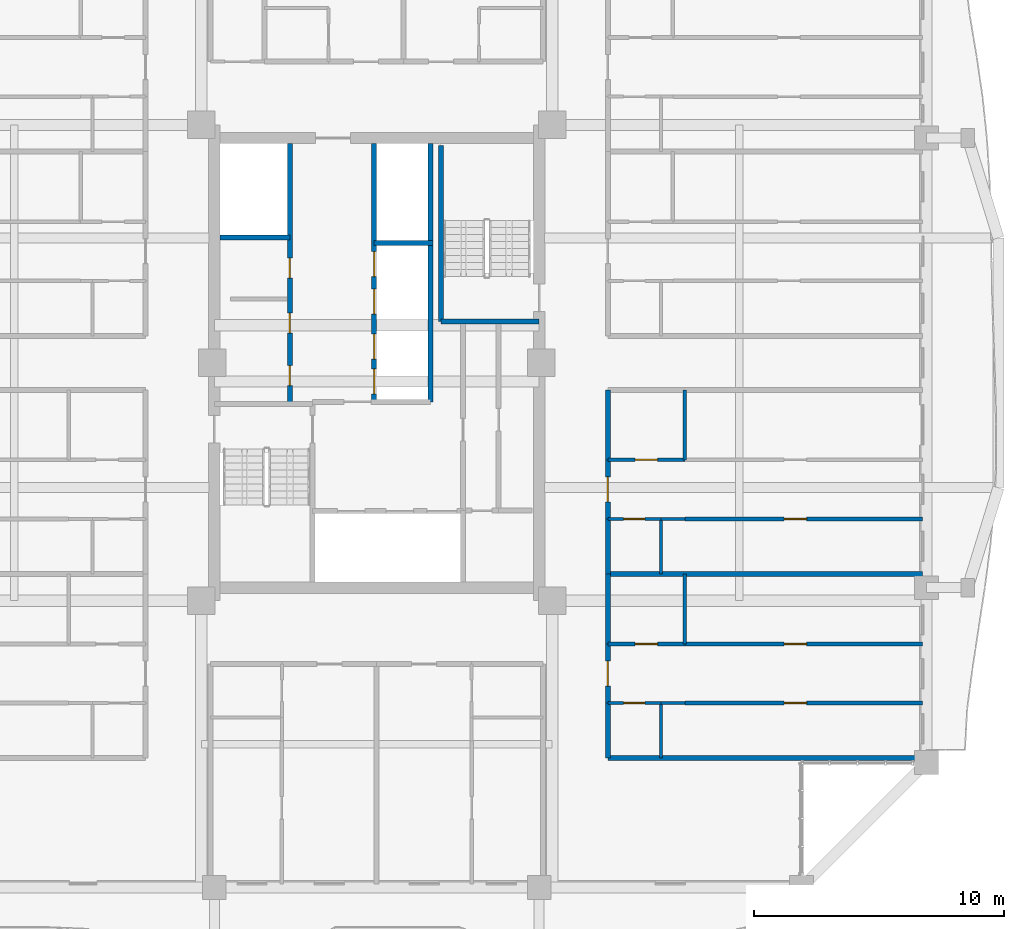
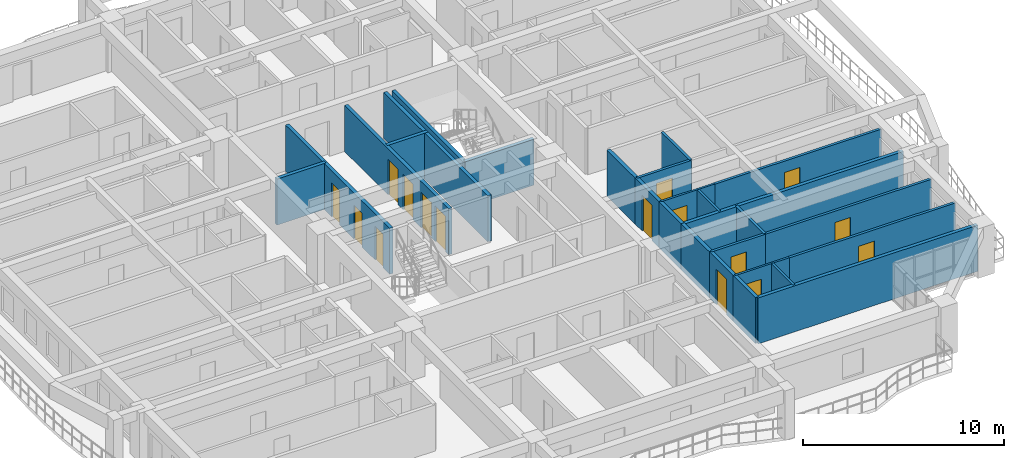
# One storey, part 14 of 23: 29 walls, 16 doors, 16 openings.
"""IFC4 building model written with IfcOpenShell, lengths in metres."""

from ifc_helpers import new_model, si_unit, direction, frame, frame_2d, origin, place, context, subcontext, project, spatial, rectangle, extrude, source, transform, mapped, material, layer, layer_set, type_object, element, fill, save


model = new_model("IFC4")

# Units and contexts
model_context = context("Model", 3, precision=1e-05, world=origin(), true_north=direction((0.0, 1.0)))
body_context = subcontext(model_context, "Body", "Model", "MODEL_VIEW")
ifc_project = project(units=[si_unit("LENGTHUNIT", "METRE"), si_unit("AREAUNIT", "SQUARE_METRE"), si_unit("VOLUMEUNIT", "CUBIC_METRE"), si_unit("PLANEANGLEUNIT", "RADIAN"), si_unit("MASSUNIT", "GRAM", prefix="KILO")], contexts=[model_context])

# Site, building, storey
site_placement = place(None, origin())
site = spatial("IfcSite", under=ifc_project, at=site_placement, CompositionType="ELEMENT")
building_placement = place(site_placement, origin())
building = spatial("IfcBuilding", under=site, at=building_placement, Name="Saelheon Loggia Tower", CompositionType="ELEMENT")
storey_placement = place(building_placement, frame((0.0, 0.0, 156.10009765625)))
storey = spatial("IfcBuildingStorey", under=building, at=storey_placement, Name="L49", CompositionType="ELEMENT", Elevation=156.10009765625)

# Wall
ifc_material_1 = material(Name="Lightweight Autoclaved Aerated Concrete Block and Acoustic Gypsum", Category="concrete")
ifc_layer_1 = layer(ifc_material_1, 0.14990234375)
ifc_layer_set_1 = layer_set([ifc_layer_1], Name="Lightweight Autoclaved Aerated Concrete Block and Acoustic Gypsum")
wall_type_1 = type_object("IfcWallType", Name="Wall_Part_150", PredefinedType="PARTITIONING", material=ifc_layer_set_1)
wall_1_placement = place(storey_placement, frame((50.330078125, 15.74951171875, 0.0), z_axis=(0.0, 0.0, 1.0), x_axis=(0.0, 1.0, 0.0)))
element("IfcWall", 1, at=wall_1_placement, inside=storey, type_object=wall_type_1, Name="L49 ES Partition V07", PredefinedType="PARTITIONING", context=body_context, shape_type="SweptSolid", body=[
    extrude(rectangle(XDim=2.800537109375, YDim=0.14990234375, at=frame_2d((1.400390625, 0.0))), origin(), (0.0, 0.0, 1.0), 2.789794921875),
])

# Wall, opening, door
wall_2_placement = place(storey_placement, frame((50.330078125, 13.3798828125, 0.0), z_axis=(0.0, 0.0, 1.0), x_axis=(1.0, 0.0, 0.0)))
wall_2 = element("IfcWall", 2, at=wall_2_placement, inside=storey, type_object=wall_type_1, Name="L49 ES Partition U10", PredefinedType="PARTITIONING", context=body_context, shape_type="SweptSolid", body=[
    extrude(rectangle(XDim=9.52001953125, YDim=0.14990234375, at=frame_2d((4.760009765625, 0.0))), origin(), (0.0, 0.0, 1.0), 2.789794921875),
])
opening_1_placement = place(wall_2_placement, frame((3.970703125, 0.0, 0.0)))
opening_1 = element("IfcOpeningElement", 3, at=opening_1_placement, cuts=wall_2, Name="Opening D-IN2", PredefinedType="OPENING", context=body_context, shape_type="SweptSolid", body=[
    extrude(rectangle(XDim=0.89990234375, YDim=2.10009765625, at=frame_2d((0.449951171875, 1.050048828125))), frame((0.0, 0.0869140625, 0.0), z_axis=(0.0, -1.0, 0.0), x_axis=(1.0, 0.0, 0.0)), (0.0, 0.0, 1.0), 0.173828125),
])
ifc_material_2 = material(Name="Engineered Oak Flush Door", Category="timber")
door_type_1 = type_object("IfcDoorType", Name="Door_Int_900", OperationType="NOTDEFINED", PredefinedType="DOOR", material=ifc_material_2)
shared_shape_1 = source(origin(), body_context, "Body", "SweptSolid", [
    extrude(rectangle(XDim=0.89990234375, YDim=2.10009765625, at=frame_2d((0.449951171875, 1.050048828125))), frame((0.0, 0.02490234375, 0.0), z_axis=(0.0, -1.0, 0.0), x_axis=(1.0, 0.0, 0.0)), (0.0, 0.0, 1.0), 0.050048828125),
])
door_1_placement = place(opening_1_placement, origin())
door_1 = element("IfcDoor", 4, at=door_1_placement, inside=storey, type_object=door_type_1, Name="Unit U09 Kitchen Door", OperationType="SINGLE_SWING_LEFT", OverallHeight=2.10009765625, OverallWidth=0.89990234375, PredefinedType="DOOR", context=body_context, shape_type="MappedRepresentation", body=[
    mapped(shared_shape_1, transform((0.0, 0.0, 0.0), scale=1.0)),
])
fill(opening_1, door_1)

wall_3_placement = place(storey_placement, frame((47.25, 15.74951171875, 0.0), z_axis=(0.0, 0.0, 1.0), x_axis=(1.0, 0.0, 0.0)))
wall_3 = element("IfcWall", 5, at=wall_3_placement, inside=storey, type_object=wall_type_1, Name="L49 ES Partition U11", PredefinedType="PARTITIONING", context=body_context, shape_type="SweptSolid", body=[
    extrude(rectangle(XDim=3.080078125, YDim=0.14990234375, at=frame_2d((1.5400390625, 0.0))), origin(), (0.0, 0.0, 1.0), 2.789794921875),
])
opening_2_placement = place(wall_3_placement, frame((1.090087890625, 0.0, 0.0)))
opening_2 = element("IfcOpeningElement", 6, at=opening_2_placement, cuts=wall_3, Name="Opening D-IN2", PredefinedType="OPENING", context=body_context, shape_type="SweptSolid", body=[
    extrude(rectangle(XDim=0.89990234375, YDim=2.10009765625, at=frame_2d((0.449951171875, 1.050048828125))), frame((0.0, 0.0869140625, 0.0), z_axis=(0.0, -1.0, 0.0), x_axis=(1.0, 0.0, 0.0)), (0.0, 0.0, 1.0), 0.173828125),
])
door_2_placement = place(opening_2_placement, origin())
door_2 = element("IfcDoor", 7, at=door_2_placement, inside=storey, type_object=door_type_1, Name="Unit U09 Dressing Closet Door", OperationType="SINGLE_SWING_RIGHT", OverallHeight=2.10009765625, OverallWidth=0.89990234375, PredefinedType="DOOR", context=body_context, shape_type="MappedRepresentation", body=[
    mapped(shared_shape_1, transform((0.0, 0.0, 0.0), scale=1.0)),
])
fill(opening_2, door_2)

wall_4_placement = place(storey_placement, frame((50.330078125, 15.74951171875, 0.0), z_axis=(0.0, 0.0, 1.0), x_axis=(1.0, 0.0, 0.0)))
wall_4 = element("IfcWall", 8, at=wall_4_placement, inside=storey, type_object=wall_type_1, Name="L49 ES Partition U12", PredefinedType="PARTITIONING", context=body_context, shape_type="SweptSolid", body=[
    extrude(rectangle(XDim=9.52001953125, YDim=0.14990234375, at=frame_2d((4.760009765625, 0.0))), origin(), (0.0, 0.0, 1.0), 2.789794921875),
])
opening_3_placement = place(wall_4_placement, frame((3.970703125, 0.0, 0.0)))
opening_3 = element("IfcOpeningElement", 9, at=opening_3_placement, cuts=wall_4, Name="Opening D-IN2", PredefinedType="OPENING", context=body_context, shape_type="SweptSolid", body=[
    extrude(rectangle(XDim=0.89990234375, YDim=2.10009765625, at=frame_2d((0.449951171875, 1.050048828125))), frame((0.0, 0.0869140625, 0.0), z_axis=(0.0, -1.0, 0.0), x_axis=(1.0, 0.0, 0.0)), (0.0, 0.0, 1.0), 0.173828125),
])
door_3_placement = place(opening_3_placement, origin())
door_3 = element("IfcDoor", 10, at=door_3_placement, inside=storey, type_object=door_type_1, Name="Unit U09 Bedroom 1 Door", OperationType="SINGLE_SWING_LEFT", OverallHeight=2.10009765625, OverallWidth=0.89990234375, PredefinedType="DOOR", context=body_context, shape_type="MappedRepresentation", body=[
    mapped(shared_shape_1, transform((0.0, 0.0, 0.0), scale=1.0)),
])
fill(opening_3, door_3)

# Wall
wall_5_placement = place(storey_placement, frame((50.330078125, 23.119384765625, 0.0), z_axis=(0.0, 0.0, 1.0), x_axis=(0.0, 1.0, 0.0)))
element("IfcWall", 11, at=wall_5_placement, inside=storey, type_object=wall_type_1, Name="L49 ES Partition V18", PredefinedType="PARTITIONING", context=body_context, shape_type="SweptSolid", body=[
    extrude(rectangle(XDim=2.800537109375, YDim=0.14990234375, at=frame_2d((1.400390625, 0.0))), origin(), (0.0, 0.0, 1.0), 2.789794921875),
])

# Wall, opening, door
wall_6_placement = place(storey_placement, frame((50.330078125, 20.75, 0.0), z_axis=(0.0, 0.0, 1.0), x_axis=(1.0, 0.0, 0.0)))
wall_6 = element("IfcWall", 12, at=wall_6_placement, inside=storey, type_object=wall_type_1, Name="L49 ES Partition U21", PredefinedType="PARTITIONING", context=body_context, shape_type="SweptSolid", body=[
    extrude(rectangle(XDim=9.52001953125, YDim=0.14990234375, at=frame_2d((4.760009765625, 0.0))), origin(), (0.0, 0.0, 1.0), 2.789794921875),
])
opening_4_placement = place(wall_6_placement, frame((3.970703125, 0.0, 0.0)))
opening_4 = element("IfcOpeningElement", 13, at=opening_4_placement, cuts=wall_6, Name="Opening D-IN2", PredefinedType="OPENING", context=body_context, shape_type="SweptSolid", body=[
    extrude(rectangle(XDim=0.89990234375, YDim=2.10009765625, at=frame_2d((0.449951171875, 1.050048828125))), frame((0.0, 0.0869140625, 0.0), z_axis=(0.0, -1.0, 0.0), x_axis=(1.0, 0.0, 0.0)), (0.0, 0.0, 1.0), 0.173828125),
])
door_4_placement = place(opening_4_placement, origin())
door_4 = element("IfcDoor", 14, at=door_4_placement, inside=storey, type_object=door_type_1, Name="Unit U10 Kitchen Door", OperationType="SINGLE_SWING_RIGHT", OverallHeight=2.10009765625, OverallWidth=0.89990234375, PredefinedType="DOOR", context=body_context, shape_type="MappedRepresentation", body=[
    mapped(shared_shape_1, transform((0.0, 0.0, 0.0), scale=1.0)),
])
fill(opening_4, door_4)

wall_7_placement = place(storey_placement, frame((47.25, 23.119384765625, 0.0), z_axis=(0.0, 0.0, 1.0), x_axis=(1.0, 0.0, 0.0)))
wall_7 = element("IfcWall", 15, at=wall_7_placement, inside=storey, type_object=wall_type_1, Name="L49 ES Partition U22", PredefinedType="PARTITIONING", context=body_context, shape_type="SweptSolid", body=[
    extrude(rectangle(XDim=3.080078125, YDim=0.14990234375, at=frame_2d((1.5400390625, 0.0))), origin(), (0.0, 0.0, 1.0), 2.789794921875),
])
opening_5_placement = place(wall_7_placement, frame((1.090087890625, 0.0, 0.0)))
opening_5 = element("IfcOpeningElement", 16, at=opening_5_placement, cuts=wall_7, Name="Opening D-IN2", PredefinedType="OPENING", context=body_context, shape_type="SweptSolid", body=[
    extrude(rectangle(XDim=0.89990234375, YDim=2.10009765625, at=frame_2d((0.449951171875, 1.050048828125))), frame((0.0, 0.0869140625, 0.0), z_axis=(0.0, -1.0, 0.0), x_axis=(1.0, 0.0, 0.0)), (0.0, 0.0, 1.0), 0.173828125),
])
door_5_placement = place(opening_5_placement, origin())
door_5 = element("IfcDoor", 17, at=door_5_placement, inside=storey, type_object=door_type_1, Name="Unit U10 Dressing Closet Door", OperationType="SINGLE_SWING_LEFT", OverallHeight=2.10009765625, OverallWidth=0.89990234375, PredefinedType="DOOR", context=body_context, shape_type="MappedRepresentation", body=[
    mapped(shared_shape_1, transform((0.0, 0.0, 0.0), scale=1.0)),
])
fill(opening_5, door_5)

# Walls
ifc_material_3 = material(Name="Double Acoustic Stud and Fireboard Partition", Category="gypsum")
ifc_layer_2 = layer(ifc_material_3, 0.199951171875)
ifc_layer_set_2 = layer_set([ifc_layer_2], Name="Double Acoustic Stud and Fireboard Partition")
wall_type_2 = type_object("IfcWallType", Name="Wall_Party_200", PredefinedType="PARTITIONING", material=ifc_layer_set_2)
wall_8_placement = place(storey_placement, frame((47.25, 11.179931640625, 0.0), z_axis=(0.0, 0.0, 1.0), x_axis=(1.0, 0.0, 0.0)))
element("IfcWall", 18, at=wall_8_placement, inside=storey, type_object=wall_type_2, Name="L49 ES Partition U01", PredefinedType="PARTITIONING", context=body_context, shape_type="SweptSolid", body=[
    extrude(rectangle(XDim=12.60009765625, YDim=0.199951171875, at=frame_2d((6.300048828125, 0.0))), origin(), (0.0, 0.0, 1.0), 2.789794921875),
])
wall_9_placement = place(storey_placement, frame((47.25, 11.179931640625, 0.0), z_axis=(0.0, 0.0, 1.0), x_axis=(0.0, 1.0, 0.0)))
element("IfcWall", 19, at=wall_9_placement, inside=storey, type_object=wall_type_2, Name="L49 ES Partition V03", PredefinedType="PARTITIONING", context=body_context, shape_type="SweptSolid", body=[
    extrude(rectangle(XDim=2.199951171875, YDim=0.199951171875, at=frame_2d((1.10009765625, 0.0))), origin(), (0.0, 0.0, 1.0), 2.789794921875),
])

# Wall, opening, door
wall_10_placement = place(storey_placement, frame((47.25, 13.3798828125, 0.0), z_axis=(0.0, 0.0, 1.0), x_axis=(0.0, 1.0, 0.0)))
wall_10 = element("IfcWall", 20, at=wall_10_placement, inside=storey, type_object=wall_type_2, Name="L49 ES Partition V04", PredefinedType="PARTITIONING", context=body_context, shape_type="SweptSolid", body=[
    extrude(rectangle(XDim=2.36962890625, YDim=0.199951171875, at=frame_2d((1.184814453125, 0.0))), origin(), (0.0, 0.0, 1.0), 2.789794921875),
])
opening_6_placement = place(wall_10_placement, frame((0.684814453125, 0.0, 0.0)))
opening_6 = element("IfcOpeningElement", 21, at=opening_6_placement, cuts=wall_10, Name="Opening D-FD1", PredefinedType="OPENING", context=body_context, shape_type="SweptSolid", body=[
    extrude(rectangle(XDim=1.0, YDim=2.14990234375, at=frame_2d((0.5, 1.074951171875))), frame((0.0, 0.112060546875, 0.0), z_axis=(0.0, -1.0, 0.0), x_axis=(1.0, 0.0, 0.0)), (0.0, 0.0, 1.0), 0.223876953125),
])
ifc_material_4 = material(Name="Fire-Rated Engineered Timber Entrance Door", Category="wood")
door_type_2 = type_object("IfcDoorType", Name="Door_Flat_FD30S", OperationType="NOTDEFINED", PredefinedType="DOOR", material=ifc_material_4)
shared_shape_2 = source(origin(), body_context, "Body", "SweptSolid", [
    extrude(rectangle(XDim=1.0, YDim=2.14990234375, at=frame_2d((0.5, 1.074951171875))), frame((0.0, 0.02490234375, 0.0), z_axis=(0.0, -1.0, 0.0), x_axis=(1.0, 0.0, 0.0)), (0.0, 0.0, 1.0), 0.050048828125),
])
door_6_placement = place(opening_6_placement, origin())
door_6 = element("IfcDoor", 22, at=door_6_placement, inside=storey, type_object=door_type_2, Name="Unit U09 Entrance Door", OperationType="SINGLE_SWING_LEFT", OverallHeight=2.14990234375, OverallWidth=1.0, PredefinedType="DOOR", context=body_context, shape_type="MappedRepresentation", body=[
    mapped(shared_shape_2, transform((0.0, 0.0, 0.0), scale=1.0)),
])
fill(opening_6, door_6)

# Walls
wall_11_placement = place(storey_placement, frame((47.25, 15.74951171875, 0.0), z_axis=(0.0, 0.0, 1.0), x_axis=(0.0, 1.0, 0.0)))
element("IfcWall", 23, at=wall_11_placement, inside=storey, type_object=wall_type_2, Name="L49 ES Partition V05", PredefinedType="PARTITIONING", context=body_context, shape_type="SweptSolid", body=[
    extrude(rectangle(XDim=2.800537109375, YDim=0.199951171875, at=frame_2d((1.400390625, 0.0))), origin(), (0.0, 0.0, 1.0), 2.789794921875),
])
wall_12_placement = place(storey_placement, frame((47.25, 18.550048828125, 0.0), z_axis=(0.0, 0.0, 1.0), x_axis=(1.0, 0.0, 0.0)))
element("IfcWall", 24, at=wall_12_placement, inside=storey, type_object=wall_type_2, Name="L49 ES Partition U13", PredefinedType="PARTITIONING", context=body_context, shape_type="SweptSolid", body=[
    extrude(rectangle(XDim=12.60009765625, YDim=0.199951171875, at=frame_2d((6.300048828125, 0.0))), origin(), (0.0, 0.0, 1.0), 2.789794921875),
])
wall_13_placement = place(storey_placement, frame((47.25, 18.550048828125, 0.0), z_axis=(0.0, 0.0, 1.0), x_axis=(0.0, 1.0, 0.0)))
element("IfcWall", 25, at=wall_13_placement, inside=storey, type_object=wall_type_2, Name="L49 ES Partition V14", PredefinedType="PARTITIONING", context=body_context, shape_type="SweptSolid", body=[
    extrude(rectangle(XDim=2.199951171875, YDim=0.199951171875, at=frame_2d((1.10009765625, 0.0))), origin(), (0.0, 0.0, 1.0), 2.789794921875),
])

# Wall, opening, door
wall_14_placement = place(storey_placement, frame((47.25, 20.75, 0.0), z_axis=(0.0, 0.0, 1.0), x_axis=(0.0, 1.0, 0.0)))
wall_14 = element("IfcWall", 26, at=wall_14_placement, inside=storey, type_object=wall_type_2, Name="L49 ES Partition V15", PredefinedType="PARTITIONING", context=body_context, shape_type="SweptSolid", body=[
    extrude(rectangle(XDim=2.369384765625, YDim=0.199951171875, at=frame_2d((1.1845703125, 0.0))), origin(), (0.0, 0.0, 1.0), 2.789794921875),
])
opening_7_placement = place(wall_14_placement, frame((0.684814453125, 0.0, 0.0)))
opening_7 = element("IfcOpeningElement", 27, at=opening_7_placement, cuts=wall_14, Name="Opening D-FD1", PredefinedType="OPENING", context=body_context, shape_type="SweptSolid", body=[
    extrude(rectangle(XDim=1.0, YDim=2.14990234375, at=frame_2d((0.5, 1.074951171875))), frame((0.0, 0.112060546875, 0.0), z_axis=(0.0, -1.0, 0.0), x_axis=(1.0, 0.0, 0.0)), (0.0, 0.0, 1.0), 0.223876953125),
])
door_7_placement = place(opening_7_placement, origin())
door_7 = element("IfcDoor", 28, at=door_7_placement, inside=storey, type_object=door_type_2, Name="Unit U10 Entrance Door", OperationType="SINGLE_SWING_RIGHT", OverallHeight=2.14990234375, OverallWidth=1.0, PredefinedType="DOOR", context=body_context, shape_type="MappedRepresentation", body=[
    mapped(shared_shape_2, transform((0.0, 0.0, 0.0), scale=1.0)),
])
fill(opening_7, door_7)

# Walls
wall_15_placement = place(storey_placement, frame((47.25, 23.119384765625, 0.0), z_axis=(0.0, 0.0, 1.0), x_axis=(0.0, 1.0, 0.0)))
element("IfcWall", 29, at=wall_15_placement, inside=storey, type_object=wall_type_2, Name="L49 ES Partition V16", PredefinedType="PARTITIONING", context=body_context, shape_type="SweptSolid", body=[
    extrude(rectangle(XDim=2.800537109375, YDim=0.199951171875, at=frame_2d((1.400390625, 0.0))), origin(), (0.0, 0.0, 1.0), 2.789794921875),
])
ifc_material_5 = material(Name="Concrete C40/50", Category="concrete")
ifc_layer_3 = layer(ifc_material_5, 0.199951171875)
ifc_layer_set_3 = layer_set([ifc_layer_3], Name="Concrete C40/50")
wall_type_3 = type_object("IfcWallType", Name="Wall_Shaft_200", PredefinedType="PARTITIONING", material=ifc_layer_set_3)
wall_16_placement = place(storey_placement, frame((40.14990234375, 25.43994140625, 0.0), z_axis=(0.0, 0.0, 1.0), x_axis=(0.0, 1.0, 0.0)))
element("IfcWall", 30, at=wall_16_placement, inside=storey, type_object=wall_type_3, Name="L49 Core Service Passage West Wall", PredefinedType="PARTITIONING", context=body_context, shape_type="SweptSolid", body=[
    extrude(rectangle(XDim=6.360107421875, YDim=0.199951171875, at=frame_2d((3.18017578125, 0.0))), origin(), (0.0, 0.0, 1.0), 2.789794921875),
])
wall_17_placement = place(storey_placement, frame((40.14990234375, 31.800048828125, 0.0), z_axis=(0.0, 0.0, 1.0), x_axis=(0.0, 1.0, 0.0)))
element("IfcWall", 31, at=wall_17_placement, inside=storey, type_object=wall_type_3, Name="L49 East High-Rise Hoistway East Wall", PredefinedType="PARTITIONING", context=body_context, shape_type="SweptSolid", body=[
    extrude(rectangle(XDim=3.97998046875, YDim=0.199951171875, at=frame_2d((1.989990234375, 0.0))), origin(), (0.0, 0.0, 1.0), 2.789794921875),
])

# Wall, openings, doors
wall_18_placement = place(storey_placement, frame((34.52001953125, 25.43994140625, 0.0), z_axis=(0.0, 0.0, 1.0), x_axis=(0.0, 1.0, 0.0)))
wall_18 = element("IfcWall", 32, at=wall_18_placement, inside=storey, type_object=wall_type_3, Name="L49 West Passenger Lift Bank Wall", PredefinedType="PARTITIONING", context=body_context, shape_type="SweptSolid", body=[
    extrude(rectangle(XDim=10.340087890625, YDim=0.199951171875, at=frame_2d((5.169921875, 0.0))), origin(), (0.0, 0.0, 1.0), 2.789794921875),
])
opening_8_placement = place(wall_18_placement, frame((0.64990234375, 0.0, 0.0)))
opening_8 = element("IfcOpeningElement", 33, at=opening_8_placement, cuts=wall_18, Name="Opening D-ST1", PredefinedType="OPENING", context=body_context, shape_type="SweptSolid", body=[
    extrude(rectangle(XDim=0.800048828125, YDim=2.050048828125, at=frame_2d((0.39990234375, 1.02490234375))), frame((0.0, 0.112060546875, 0.0), z_axis=(0.0, -1.0, 0.0), x_axis=(1.0, 0.0, 0.0)), (0.0, 0.0, 1.0), 0.223876953125),
])
opening_9_placement = place(wall_18_placement, frame((2.75, 0.0, 0.0)))
opening_9 = element("IfcOpeningElement", 34, at=opening_9_placement, cuts=wall_18, Name="Opening D-ST1", PredefinedType="OPENING", context=body_context, shape_type="SweptSolid", body=[
    extrude(rectangle(XDim=0.800048828125, YDim=2.050048828125, at=frame_2d((0.39990234375, 1.02490234375))), frame((0.0, 0.112060546875, 0.0), z_axis=(0.0, -1.0, 0.0), x_axis=(1.0, 0.0, 0.0)), (0.0, 0.0, 1.0), 0.223876953125),
])
opening_10_placement = place(wall_18_placement, frame((4.949951171875, 0.0, 0.0)))
opening_10 = element("IfcOpeningElement", 35, at=opening_10_placement, cuts=wall_18, Name="Opening D-ST1", PredefinedType="OPENING", context=body_context, shape_type="SweptSolid", body=[
    extrude(rectangle(XDim=0.800048828125, YDim=2.050048828125, at=frame_2d((0.39990234375, 1.02490234375))), frame((0.0, 0.112060546875, 0.0), z_axis=(0.0, -1.0, 0.0), x_axis=(1.0, 0.0, 0.0)), (0.0, 0.0, 1.0), 0.223876953125),
])
ifc_material_6 = material(Name="Powder-Coated Steel Store Door", Category="steel")
door_type_3 = type_object("IfcDoorType", Name="Door_Store_800", OperationType="NOTDEFINED", PredefinedType="DOOR", material=ifc_material_6)
shared_shape_3 = source(origin(), body_context, "Body", "SweptSolid", [
    extrude(rectangle(XDim=0.800048828125, YDim=2.050048828125, at=frame_2d((0.39990234375, 1.02490234375))), frame((0.0, 0.02490234375, 0.0), z_axis=(0.0, -1.0, 0.0), x_axis=(1.0, 0.0, 0.0)), (0.0, 0.0, 1.0), 0.050048828125),
])
door_8_placement = place(opening_8_placement, origin())
door_8 = element("IfcDoor", 36, at=door_8_placement, inside=storey, type_object=door_type_3, Name="L49 Telecom Store Door", OperationType="SINGLE_SWING_LEFT", OverallHeight=2.050048828125, OverallWidth=0.800048828125, PredefinedType="DOOR", context=body_context, shape_type="MappedRepresentation", body=[
    mapped(shared_shape_3, transform((0.0, 0.0, 0.0), scale=1.0)),
])
fill(opening_8, door_8)
door_9_placement = place(opening_9_placement, origin())
door_9 = element("IfcDoor", 37, at=door_9_placement, inside=storey, type_object=door_type_3, Name="L49 Linen Closet Door", OperationType="SINGLE_SWING_RIGHT", OverallHeight=2.050048828125, OverallWidth=0.800048828125, PredefinedType="DOOR", context=body_context, shape_type="MappedRepresentation", body=[
    mapped(shared_shape_3, transform((0.0, 0.0, 0.0), scale=1.0)),
])
fill(opening_9, door_9)
door_10_placement = place(opening_10_placement, origin())
door_10 = element("IfcDoor", 38, at=door_10_placement, inside=storey, type_object=door_type_3, Name="L49 Metering Store Door", OperationType="SINGLE_SWING_LEFT", OverallHeight=2.050048828125, OverallWidth=0.800048828125, PredefinedType="DOOR", context=body_context, shape_type="MappedRepresentation", body=[
    mapped(shared_shape_3, transform((0.0, 0.0, 0.0), scale=1.0)),
])
fill(opening_10, door_10)

# Wall
wall_19_placement = place(storey_placement, frame((31.719970703125, 32.02001953125, 0.0), z_axis=(0.0, 0.0, 1.0), x_axis=(1.0, 0.0, 0.0)))
element("IfcWall", 39, at=wall_19_placement, inside=storey, type_object=wall_type_3, Name="L49 West High-Rise Shaft Divider", PredefinedType="PARTITIONING", context=body_context, shape_type="SweptSolid", body=[
    extrude(rectangle(XDim=2.800048828125, YDim=0.199951171875, at=frame_2d((1.39990234375, 0.0))), origin(), (0.0, 0.0, 1.0), 2.789794921875),
])

# Wall, openings, doors
wall_20_placement = place(storey_placement, frame((37.89990234375, 25.43994140625, 0.0), z_axis=(0.0, 0.0, 1.0), x_axis=(0.0, 1.0, 0.0)))
wall_20 = element("IfcWall", 40, at=wall_20_placement, inside=storey, type_object=wall_type_3, Name="L49 East Passenger Lift Bank Wall", PredefinedType="PARTITIONING", context=body_context, shape_type="SweptSolid", body=[
    extrude(rectangle(XDim=10.340087890625, YDim=0.199951171875, at=frame_2d((5.169921875, 0.0))), origin(), (0.0, 0.0, 1.0), 2.789794921875),
])
opening_11_placement = place(wall_20_placement, frame((0.320068359375, 0.0, 0.0)))
opening_11 = element("IfcOpeningElement", 41, at=opening_11_placement, cuts=wall_20, Name="Opening LD1", PredefinedType="OPENING", context=body_context, shape_type="SweptSolid", body=[
    extrude(rectangle(XDim=1.0, YDim=2.14990234375, at=frame_2d((0.5, 1.074951171875))), frame((0.0, 0.112060546875, 0.0), z_axis=(0.0, -1.0, 0.0), x_axis=(1.0, 0.0, 0.0)), (0.0, 0.0, 1.0), 0.223876953125),
])
opening_12_placement = place(wall_20_placement, frame((1.7099609375, 0.0, 0.0)))
opening_12 = element("IfcOpeningElement", 42, at=opening_12_placement, cuts=wall_20, Name="Opening LD1", PredefinedType="OPENING", context=body_context, shape_type="SweptSolid", body=[
    extrude(rectangle(XDim=1.0, YDim=2.14990234375, at=frame_2d((0.5, 1.074951171875))), frame((0.0, 0.112060546875, 0.0), z_axis=(0.0, -1.0, 0.0), x_axis=(1.0, 0.0, 0.0)), (0.0, 0.0, 1.0), 0.223876953125),
])
opening_13_placement = place(wall_20_placement, frame((3.510009765625, 0.0, 0.0)))
opening_13 = element("IfcOpeningElement", 43, at=opening_13_placement, cuts=wall_20, Name="Opening LD1", PredefinedType="OPENING", context=body_context, shape_type="SweptSolid", body=[
    extrude(rectangle(XDim=1.0, YDim=2.14990234375, at=frame_2d((0.5, 1.074951171875))), frame((0.0, 0.112060546875, 0.0), z_axis=(0.0, -1.0, 0.0), x_axis=(1.0, 0.0, 0.0)), (0.0, 0.0, 1.0), 0.223876953125),
])
opening_14_placement = place(wall_20_placement, frame((5.010009765625, 0.0, 0.0)))
opening_14 = element("IfcOpeningElement", 44, at=opening_14_placement, cuts=wall_20, Name="Opening LD1", PredefinedType="OPENING", context=body_context, shape_type="SweptSolid", body=[
    extrude(rectangle(XDim=1.0, YDim=2.14990234375, at=frame_2d((0.5, 1.074951171875))), frame((0.0, 0.112060546875, 0.0), z_axis=(0.0, -1.0, 0.0), x_axis=(1.0, 0.0, 0.0)), (0.0, 0.0, 1.0), 0.223876953125),
])
ifc_material_7 = material(Name="Brushed Stainless Steel 304 Landing Door", Category="steel")
door_type_4 = type_object("IfcDoorType", Name="Door_Lift_LD1", OperationType="DOUBLE_DOOR_SLIDING", PredefinedType="DOOR", material=ifc_material_7)
door_11_placement = place(opening_11_placement, origin())
door_11 = element("IfcDoor", 45, at=door_11_placement, inside=storey, type_object=door_type_4, Name="L49 PM1 Landing Door", OperationType="DOUBLE_DOOR_SLIDING", OverallHeight=2.14990234375, OverallWidth=1.0, PredefinedType="DOOR", context=body_context, shape_type="MappedRepresentation", body=[
    mapped(shared_shape_2, transform((0.0, 0.0, 0.0), scale=1.0)),
])
fill(opening_11, door_11)
door_12_placement = place(opening_12_placement, origin())
door_12 = element("IfcDoor", 46, at=door_12_placement, inside=storey, type_object=door_type_4, Name="L49 PM2 Landing Door", OperationType="DOUBLE_DOOR_SLIDING", OverallHeight=2.14990234375, OverallWidth=1.0, PredefinedType="DOOR", context=body_context, shape_type="MappedRepresentation", body=[
    mapped(shared_shape_2, transform((0.0, 0.0, 0.0), scale=1.0)),
])
fill(opening_12, door_12)
door_13_placement = place(opening_13_placement, origin())
door_13 = element("IfcDoor", 47, at=door_13_placement, inside=storey, type_object=door_type_4, Name="L49 PM3 Landing Door", OperationType="DOUBLE_DOOR_SLIDING", OverallHeight=2.14990234375, OverallWidth=1.0, PredefinedType="DOOR", context=body_context, shape_type="MappedRepresentation", body=[
    mapped(shared_shape_2, transform((0.0, 0.0, 0.0), scale=1.0)),
])
fill(opening_13, door_13)
door_14_placement = place(opening_14_placement, origin())
door_14 = element("IfcDoor", 48, at=door_14_placement, inside=storey, type_object=door_type_4, Name="L49 PM4 Landing Door", OperationType="DOUBLE_DOOR_SLIDING", OverallHeight=2.14990234375, OverallWidth=1.0, PredefinedType="DOOR", context=body_context, shape_type="MappedRepresentation", body=[
    mapped(shared_shape_2, transform((0.0, 0.0, 0.0), scale=1.0)),
])
fill(opening_14, door_14)

# Walls
wall_21_placement = place(storey_placement, frame((37.89990234375, 31.800048828125, 0.0), z_axis=(0.0, 0.0, 1.0), x_axis=(1.0, 0.0, 0.0)))
element("IfcWall", 49, at=wall_21_placement, inside=storey, type_object=wall_type_3, Name="L49 East High-Rise Shaft Divider", PredefinedType="PARTITIONING", context=body_context, shape_type="SweptSolid", body=[
    extrude(rectangle(XDim=2.35009765625, YDim=0.199951171875, at=frame_2d((1.175048828125, 0.0))), origin(), (0.0, 0.0, 1.0), 2.789794921875),
])
ifc_material_8 = material(Name="Concrete C45/55", Category="concrete")
ifc_layer_4 = layer(ifc_material_8, 0.199951171875)
ifc_layer_set_4 = layer_set([ifc_layer_4], Name="Concrete C45/55")
wall_type_4 = type_object("IfcWallType", Name="Wall_StairShaft_RC200", PredefinedType="SOLIDWALL", material=ifc_layer_set_4)
wall_22_placement = place(storey_placement, frame((40.570068359375, 28.64990234375, 0.0), z_axis=(0.0, 0.0, 1.0), x_axis=(0.0, 1.0, 0.0)))
element("IfcWall", 50, at=wall_22_placement, inside=storey, type_object=wall_type_4, Name="L49 Stair ST2 Shaft Wall", PredefinedType="SOLIDWALL", context=body_context, shape_type="SweptSolid", body=[
    extrude(rectangle(XDim=7.050048828125, YDim=0.199951171875, at=frame_2d((3.52490234375, 0.0))), origin(), (0.0, 0.0, 1.0), 2.789794921875),
])
wall_23_placement = place(storey_placement, frame((40.570068359375, 28.64990234375, 0.0), z_axis=(0.0, 0.0, 1.0), x_axis=(1.0, 0.0, 0.0)))
element("IfcWall", 51, at=wall_23_placement, inside=storey, type_object=wall_type_4, Name="L49 Stair ST2 South Wall", PredefinedType="SOLIDWALL", context=body_context, shape_type="SweptSolid", body=[
    extrude(rectangle(XDim=3.929931640625, YDim=0.199951171875, at=frame_2d((1.96484375, 0.0))), origin(), (0.0, 0.0, 1.0), 2.789794921875),
])
ifc_material_9 = material(Name="Moisture-Resistant Cement Board Partition", Category="gypsum")
ifc_layer_5 = layer(ifc_material_9, 0.1201171875)
ifc_layer_set_5 = layer_set([ifc_layer_5], Name="Moisture-Resistant Cement Board Partition")
wall_type_5 = type_object("IfcWallType", Name="Wall_WetPart_120", PredefinedType="PARTITIONING", material=ifc_layer_set_5)
wall_24_placement = place(storey_placement, frame((49.3701171875, 11.179931640625, 0.0), z_axis=(0.0, 0.0, 1.0), x_axis=(0.0, 1.0, 0.0)))
element("IfcWall", 52, at=wall_24_placement, inside=storey, type_object=wall_type_5, Name="L49 ES Partition V06", PredefinedType="PARTITIONING", context=body_context, shape_type="SweptSolid", body=[
    extrude(rectangle(XDim=2.199951171875, YDim=0.1201171875, at=frame_2d((1.10009765625, 0.0))), origin(), (0.0, 0.0, 1.0), 2.789794921875),
])

# Wall, opening, door
wall_25_placement = place(storey_placement, frame((47.25, 13.3798828125, 0.0), z_axis=(0.0, 0.0, 1.0), x_axis=(1.0, 0.0, 0.0)))
wall_25 = element("IfcWall", 53, at=wall_25_placement, inside=storey, type_object=wall_type_5, Name="L49 ES Partition U08", PredefinedType="PARTITIONING", context=body_context, shape_type="SweptSolid", body=[
    extrude(rectangle(XDim=2.1201171875, YDim=0.1201171875, at=frame_2d((1.06005859375, 0.0))), origin(), (0.0, 0.0, 1.0), 2.789794921875),
])
opening_15_placement = place(wall_25_placement, frame((0.635009765625, 0.0, 0.0)))
opening_15 = element("IfcOpeningElement", 54, at=opening_15_placement, cuts=wall_25, Name="Opening D-BT1", PredefinedType="OPENING", context=body_context, shape_type="SweptSolid", body=[
    extrude(rectangle(XDim=0.85009765625, YDim=2.050048828125, at=frame_2d((0.425048828125, 1.02490234375))), frame((0.0, 0.072021484375, 0.0), z_axis=(0.0, -1.0, 0.0), x_axis=(1.0, 0.0, 0.0)), (0.0, 0.0, 1.0), 0.14404296875),
])
ifc_material_10 = material(Name="Moisture-Resistant Laminate Timber Door", Category="wood")
door_type_5 = type_object("IfcDoorType", Name="Door_Bath_850", OperationType="NOTDEFINED", PredefinedType="DOOR", material=ifc_material_10)
shared_shape_4 = source(origin(), body_context, "Body", "SweptSolid", [
    extrude(rectangle(XDim=0.85009765625, YDim=2.050048828125, at=frame_2d((0.425048828125, 1.02490234375))), frame((0.0, 0.02490234375, 0.0), z_axis=(0.0, -1.0, 0.0), x_axis=(1.0, 0.0, 0.0)), (0.0, 0.0, 1.0), 0.050048828125),
])
door_15_placement = place(opening_15_placement, origin())
door_15 = element("IfcDoor", 55, at=door_15_placement, inside=storey, type_object=door_type_5, Name="Unit U09 Bathroom Door", OperationType="SINGLE_SWING_RIGHT", OverallHeight=2.050048828125, OverallWidth=0.85009765625, PredefinedType="DOOR", context=body_context, shape_type="MappedRepresentation", body=[
    mapped(shared_shape_4, transform((0.0, 0.0, 0.0), scale=1.0)),
])
fill(opening_15, door_15)

# Walls
wall_26_placement = place(storey_placement, frame((49.3701171875, 13.3798828125, 0.0), z_axis=(0.0, 0.0, 1.0), x_axis=(1.0, 0.0, 0.0)))
element("IfcWall", 56, at=wall_26_placement, inside=storey, type_object=wall_type_5, Name="L49 ES Partition U09", PredefinedType="PARTITIONING", context=body_context, shape_type="SweptSolid", body=[
    extrude(rectangle(XDim=0.9599609375, YDim=0.1201171875, at=frame_2d((0.47998046875, 0.0))), origin(), (0.0, 0.0, 1.0), 2.789794921875),
])
wall_27_placement = place(storey_placement, frame((49.3701171875, 18.550048828125, 0.0), z_axis=(0.0, 0.0, 1.0), x_axis=(0.0, 1.0, 0.0)))
element("IfcWall", 57, at=wall_27_placement, inside=storey, type_object=wall_type_5, Name="L49 ES Partition V17", PredefinedType="PARTITIONING", context=body_context, shape_type="SweptSolid", body=[
    extrude(rectangle(XDim=2.199951171875, YDim=0.1201171875, at=frame_2d((1.10009765625, 0.0))), origin(), (0.0, 0.0, 1.0), 2.789794921875),
])

# Wall, opening, door
wall_28_placement = place(storey_placement, frame((47.25, 20.75, 0.0), z_axis=(0.0, 0.0, 1.0), x_axis=(1.0, 0.0, 0.0)))
wall_28 = element("IfcWall", 58, at=wall_28_placement, inside=storey, type_object=wall_type_5, Name="L49 ES Partition U19", PredefinedType="PARTITIONING", context=body_context, shape_type="SweptSolid", body=[
    extrude(rectangle(XDim=2.1201171875, YDim=0.1201171875, at=frame_2d((1.06005859375, 0.0))), origin(), (0.0, 0.0, 1.0), 2.789794921875),
])
opening_16_placement = place(wall_28_placement, frame((0.635009765625, 0.0, 0.0)))
opening_16 = element("IfcOpeningElement", 59, at=opening_16_placement, cuts=wall_28, Name="Opening D-BT1", PredefinedType="OPENING", context=body_context, shape_type="SweptSolid", body=[
    extrude(rectangle(XDim=0.85009765625, YDim=2.050048828125, at=frame_2d((0.425048828125, 1.02490234375))), frame((0.0, 0.072021484375, 0.0), z_axis=(0.0, -1.0, 0.0), x_axis=(1.0, 0.0, 0.0)), (0.0, 0.0, 1.0), 0.14404296875),
])
door_16_placement = place(opening_16_placement, origin())
door_16 = element("IfcDoor", 60, at=door_16_placement, inside=storey, type_object=door_type_5, Name="Unit U10 Bathroom Door", OperationType="SINGLE_SWING_LEFT", OverallHeight=2.050048828125, OverallWidth=0.85009765625, PredefinedType="DOOR", context=body_context, shape_type="MappedRepresentation", body=[
    mapped(shared_shape_4, transform((0.0, 0.0, 0.0), scale=1.0)),
])
fill(opening_16, door_16)

# Wall
wall_29_placement = place(storey_placement, frame((49.3701171875, 20.75, 0.0), z_axis=(0.0, 0.0, 1.0), x_axis=(1.0, 0.0, 0.0)))
element("IfcWall", 61, at=wall_29_placement, inside=storey, type_object=wall_type_5, Name="L49 ES Partition U20", PredefinedType="PARTITIONING", context=body_context, shape_type="SweptSolid", body=[
    extrude(rectangle(XDim=0.9599609375, YDim=0.1201171875, at=frame_2d((0.47998046875, 0.0))), origin(), (0.0, 0.0, 1.0), 2.789794921875),
])

save(model, "model.ifc")
